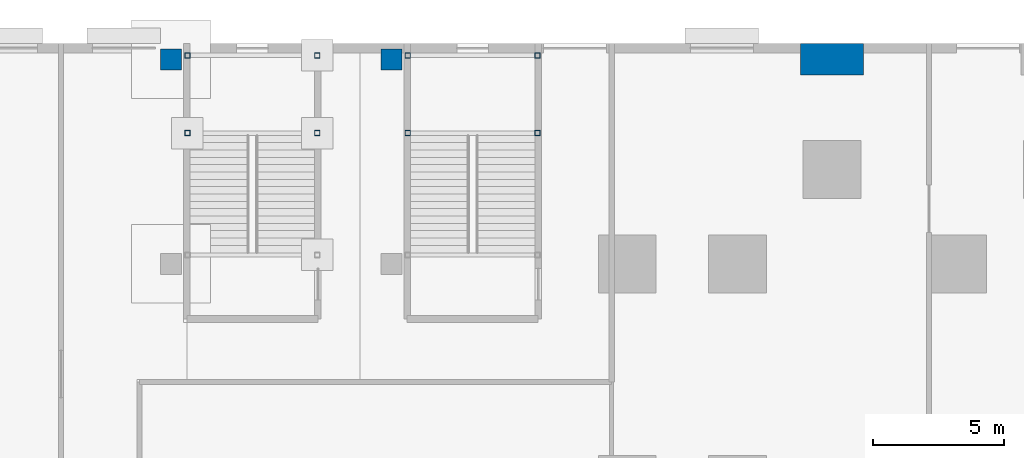
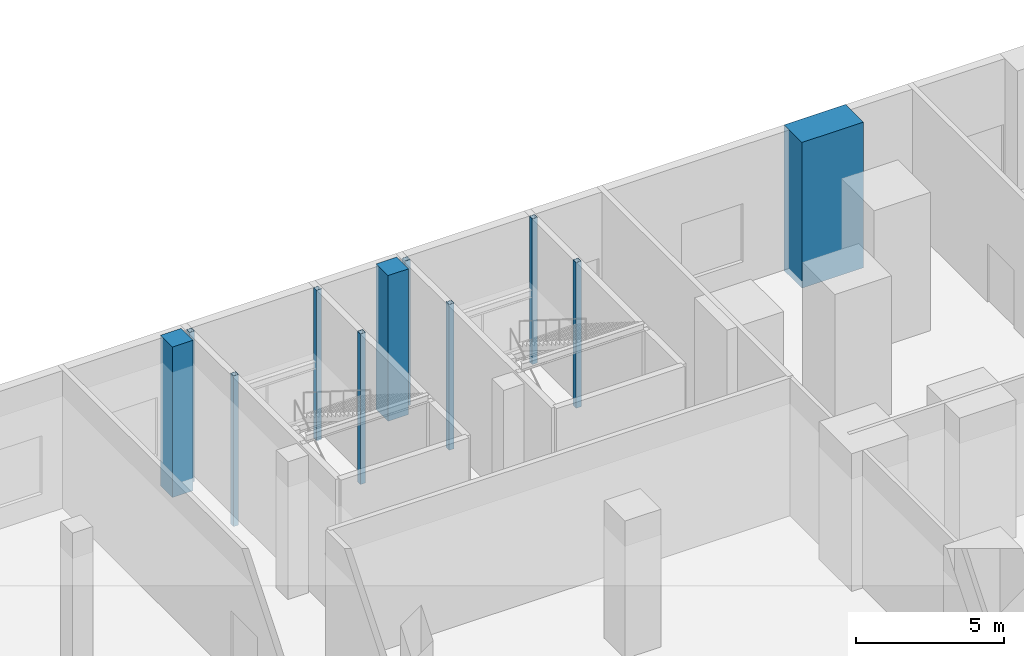
# One storey, part 12 of 26: 11 columns.
"""IFC4 building model written with IfcOpenShell, lengths in metres."""

from ifc_helpers import new_model, si_unit, direction, frame, origin, origin_2d, place, context, subcontext, project, spatial, rectangle, hollow_rectangle, extrude, material, material_profile, profile_set, type_object, element, save


model = new_model("IFC4")

# Units and contexts
model_context = context("Model", 3, precision=1e-05, world=origin(), true_north=direction((0.0, 1.0)))
body_context = subcontext(model_context, "Body", "Model", "MODEL_VIEW")
ifc_project = project(units=[si_unit("LENGTHUNIT", "METRE"), si_unit("AREAUNIT", "SQUARE_METRE"), si_unit("VOLUMEUNIT", "CUBIC_METRE"), si_unit("PLANEANGLEUNIT", "RADIAN"), si_unit("MASSUNIT", "GRAM", prefix="KILO")], contexts=[model_context])

# Site, building, storey
site_placement = place(None, origin())
site = spatial("IfcSite", under=ifc_project, at=site_placement, CompositionType="ELEMENT")
building_placement = place(site_placement, origin())
building = spatial("IfcBuilding", under=site, at=building_placement, Name="Dunama Terrace Hotel", CompositionType="ELEMENT")
storey_placement = place(building_placement, origin())
storey = spatial("IfcBuildingStorey", under=building, at=storey_placement, Name="L00", CompositionType="ELEMENT", Elevation=0.0)

# Columns
ifc_material_1 = material(Name="Concrete C60/75", Category="concrete")
ifc_material_profile_1 = material_profile(ifc_material_1, rectangle(XDim=2.39990234375, YDim=1.199951171875, at=origin_2d()), Name="RC 2400x1200")
ifc_profile_set_1 = profile_set([ifc_material_profile_1], Name="Concrete C60/75")
column_type_1 = type_object("IfcColumnType", Name="Column RC 2400x1200", PredefinedType="COLUMN", material=ifc_profile_set_1)
column_1_placement = place(storey_placement, frame((8.39990234375, 58.199951171875, -0.300048828125), z_axis=(0.0, 0.0, 1.0), x_axis=(1.0, 0.0, 0.0)))
element("IfcColumn", 1, at=column_1_placement, inside=storey, type_object=column_type_1, Name="Column L00 +8.4/+58.2", PredefinedType="COLUMN", context=body_context, shape_type="SweptSolid", body=[
    extrude(rectangle(XDim=2.39990234375, YDim=1.199951171875, at=origin_2d()), origin(), (0.0, 0.0, 1.0), 6.0),
])
ifc_material_2 = material(Name="Concrete C40/50", Category="concrete")
ifc_material_profile_2 = material_profile(ifc_material_2, rectangle(XDim=0.800048828125, YDim=0.800048828125, at=origin_2d()), Name="RC 800x800")
ifc_profile_set_2 = profile_set([ifc_material_profile_2], Name="Concrete C40/50")
column_type_2 = type_object("IfcColumnType", Name="Column RC 800x800", PredefinedType="COLUMN", material=ifc_profile_set_2)
column_2_placement = place(storey_placement, frame((-16.800048828125, 58.199951171875, -0.5), z_axis=(0.0, 0.0, 1.0), x_axis=(1.0, 0.0, 0.0)))
element("IfcColumn", 2, at=column_2_placement, inside=storey, type_object=column_type_2, Name="Column L00 -16.8/+58.2", PredefinedType="COLUMN", context=body_context, shape_type="SweptSolid", body=[
    extrude(rectangle(XDim=0.800048828125, YDim=0.800048828125, at=origin_2d()), origin(), (0.0, 0.0, 1.0), 6.199951171875),
])
column_3_placement = place(storey_placement, frame((-8.39990234375, 58.199951171875, -0.300048828125), z_axis=(0.0, 0.0, 1.0), x_axis=(1.0, 0.0, 0.0)))
element("IfcColumn", 3, at=column_3_placement, inside=storey, type_object=column_type_2, Name="Column L00 -8.4/+58.2", PredefinedType="COLUMN", context=body_context, shape_type="SweptSolid", body=[
    extrude(rectangle(XDim=0.800048828125, YDim=0.800048828125, at=origin_2d()), origin(), (0.0, 0.0, 1.0), 6.0),
])
ifc_material_3 = material(Name="Steel S355", Category="steel")
ifc_material_profile_3 = material_profile(ifc_material_3, hollow_rectangle(XDim=0.199951171875, YDim=0.199951171875, WallThickness=0.010009765625, at=origin_2d()), Name="SHS 200x200x10")
ifc_profile_set_3 = profile_set([ifc_material_profile_3], Name="Steel S355")
column_type_3 = type_object("IfcColumnType", Name="Stair post SHS 200x200x10", PredefinedType="COLUMN", material=ifc_profile_set_3)
for number, where, z_axis, x_axis, name in (
    (4, (-16.175048828125, 55.387451171875, -0.5), (0.0, 0.0, 1.0), (1.0, 0.0, 0.0), "Stair post P1 L00 -16.18/+55.39"),
    (5, (-11.22509765625, 55.387451171875, -0.5), (0.0, 0.0, 1.0), (1.0, 0.0, 0.0), "Stair post P1 L00 -11.22/+55.39"),
    (6, (-16.175048828125, 58.35009765625, -0.5), (0.0, 0.0, 1.0), (1.0, 0.0, 0.0), "Stair post P1 L00 -16.18/+58.35"),
    (7, (-11.22509765625, 58.35009765625, -0.5), (0.0, 0.0, 1.0), (1.0, 0.0, 0.0), "Stair post P1 L00 -11.22/+58.35"),
):
    element("IfcColumn", number, at=place(storey_placement, frame(where, z_axis=z_axis, x_axis=x_axis)), inside=storey, type_object=column_type_3, Name=name, PredefinedType="COLUMN", context=body_context, shape_type="SweptSolid", body=[
        extrude(hollow_rectangle(XDim=0.199951171875, YDim=0.199951171875, WallThickness=0.010009765625, at=origin_2d()), origin(), (0.0, 0.0, 1.0), 6.199951171875),
    ])
for number, where, z_axis, x_axis, name in (
    (8, (-7.77490234375, 55.387451171875, -0.300048828125), (0.0, 0.0, 1.0), (1.0, 0.0, 0.0), "Stair post P3 L00 -7.78/+55.39"),
    (9, (-2.824951171875, 55.387451171875, -0.300048828125), (0.0, 0.0, 1.0), (1.0, 0.0, 0.0), "Stair post P3 L00 -2.83/+55.39"),
    (10, (-7.77490234375, 58.35009765625, -0.300048828125), (0.0, 0.0, 1.0), (1.0, 0.0, 0.0), "Stair post P3 L00 -7.78/+58.35"),
    (11, (-2.824951171875, 58.35009765625, -0.300048828125), (0.0, 0.0, 1.0), (1.0, 0.0, 0.0), "Stair post P3 L00 -2.83/+58.35"),
):
    element("IfcColumn", number, at=place(storey_placement, frame(where, z_axis=z_axis, x_axis=x_axis)), inside=storey, type_object=column_type_3, Name=name, PredefinedType="COLUMN", context=body_context, shape_type="SweptSolid", body=[
        extrude(hollow_rectangle(XDim=0.199951171875, YDim=0.199951171875, WallThickness=0.010009765625, at=origin_2d()), origin(), (0.0, 0.0, 1.0), 6.0),
    ])

save(model, "model.ifc")
